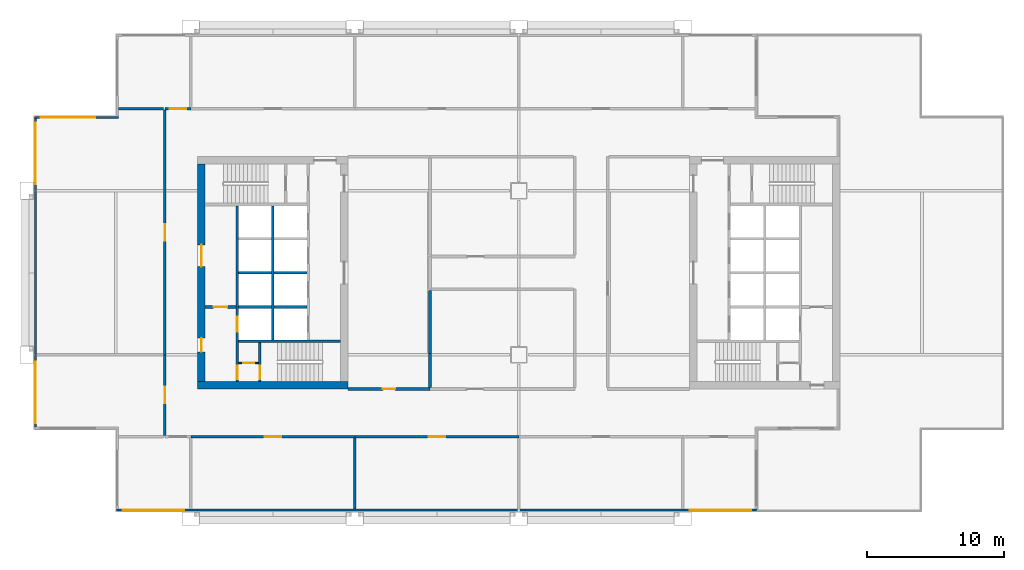
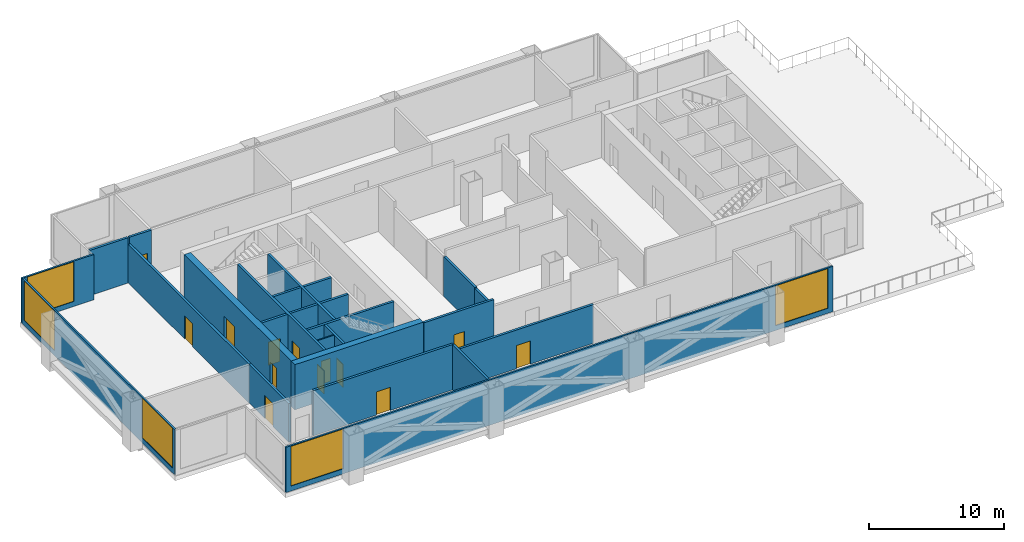
# One storey, part 2 of 6: 25 walls, 13 doors, 5 windows, 18 openings.
"""IFC4 building model written with IfcOpenShell, lengths in metres."""

from ifc_helpers import new_model, si_unit, direction, frame, frame_2d, origin, place, context, subcontext, project, spatial, rectangle, extrude, material, layer, layer_set, type_object, element, fill, save


model = new_model("IFC4")

# Units and contexts
model_context = context("Model", 3, precision=1e-05, world=origin(), true_north=direction((0.0, 1.0)))
body_context = subcontext(model_context, "Body", "Model", "MODEL_VIEW")
ifc_project = project(units=[si_unit("LENGTHUNIT", "METRE"), si_unit("AREAUNIT", "SQUARE_METRE"), si_unit("VOLUMEUNIT", "CUBIC_METRE"), si_unit("PLANEANGLEUNIT", "RADIAN"), si_unit("MASSUNIT", "GRAM", prefix="KILO")], contexts=[model_context])

# Site, building, storey
site_placement = place(None, origin())
site = spatial("IfcSite", under=ifc_project, at=site_placement, CompositionType="ELEMENT")
building_placement = place(site_placement, origin())
building = spatial("IfcBuilding", under=site, at=building_placement, Name="Kitamizu Gate Tower and Museum", CompositionType="ELEMENT")
storey_placement = place(building_placement, frame((0.0, 0.0, 153.75)))
storey = spatial("IfcBuildingStorey", under=building, at=storey_placement, Name="L40", CompositionType="ELEMENT", Elevation=153.75)

# Wall
ifc_material_1 = material(Name="Concrete Fc42", Category="concrete")
ifc_layer_1 = layer(ifc_material_1, 0.550048828125)
ifc_layer_set_1 = layer_set([ifc_layer_1], Name="Concrete Fc42")
wall_type_1 = type_object("IfcWallType", Name="Core wall 550", PredefinedType="SHEAR", material=ifc_layer_set_1)
wall_1_placement = place(storey_placement, frame((12.5, 21.77490234375, 0.0), z_axis=(0.0, 0.0, 1.0), x_axis=(1.0, 0.0, 0.0)))
element("IfcWall", 1, at=wall_1_placement, inside=storey, type_object=wall_type_1, Name="Core wall WS", PredefinedType="SHEAR", context=body_context, shape_type="SweptSolid", body=[
    extrude(rectangle(XDim=11.0, YDim=0.550048828125, at=frame_2d((5.5, 0.0))), origin(), (0.0, 0.0, 1.0), 4.10009765625),
])

# Wall, openings, doors
wall_2_placement = place(storey_placement, frame((12.77490234375, 22.050048828125, 0.0), z_axis=(0.0, 0.0, 1.0), x_axis=(0.0, 1.0, 0.0)))
wall_2 = element("IfcWall", 2, at=wall_2_placement, inside=storey, type_object=wall_type_1, Name="Core wall WOUT", PredefinedType="SHEAR", context=body_context, shape_type="SweptSolid", body=[
    extrude(rectangle(XDim=15.89990234375, YDim=0.550048828125, at=frame_2d((7.949951171875, 0.0))), origin(), (0.0, 0.0, 1.0), 4.10009765625),
])
opening_1_placement = place(wall_2_placement, frame((8.39990234375, 0.0, 0.0)))
opening_1 = element("IfcOpeningElement", 3, at=opening_1_placement, cuts=wall_2, Name="Opening L40-023", PredefinedType="OPENING", context=body_context, shape_type="SweptSolid", body=[
    extrude(rectangle(XDim=1.60009765625, YDim=2.10009765625, at=frame_2d((0.800048828125, 1.050048828125))), frame((0.0, 0.28515625, 0.0), z_axis=(0.0, -1.0, 0.0), x_axis=(1.0, 0.0, 0.0)), (0.0, 0.0, 1.0), 0.570068359375),
])
opening_2_placement = place(wall_2_placement, frame((2.175048828125, 0.0, 0.0)))
opening_2 = element("IfcOpeningElement", 4, at=opening_2_placement, cuts=wall_2, Name="Opening L40-024", PredefinedType="OPENING", context=body_context, shape_type="SweptSolid", body=[
    extrude(rectangle(XDim=1.0, YDim=2.10009765625, at=frame_2d((0.5, 1.050048828125))), frame((0.0, 0.28515625, 0.0), z_axis=(0.0, -1.0, 0.0), x_axis=(1.0, 0.0, 0.0)), (0.0, 0.0, 1.0), 0.570068359375),
])
ifc_material_2 = material(Name="Timber door set", Category="wood")
door_type_1 = type_object("IfcDoorType", Name="Entrance door 1600", OperationType="DOUBLE_DOOR_SINGLE_SWING", PredefinedType="DOOR", material=ifc_material_2)
door_1_placement = place(opening_1_placement, origin())
door_1 = element("IfcDoor", 5, at=door_1_placement, inside=storey, type_object=door_type_1, Name="Lobby door L40-023", OperationType="DOUBLE_DOOR_SINGLE_SWING", OverallHeight=2.10009765625, OverallWidth=1.60009765625, PredefinedType="DOOR", context=body_context, shape_type="SweptSolid", body=[
    extrude(rectangle(XDim=1.60009765625, YDim=2.10009765625, at=frame_2d((0.800048828125, 1.050048828125))), frame((0.0, 0.02490234375, 0.0), z_axis=(0.0, -1.0, 0.0), x_axis=(1.0, 0.0, 0.0)), (0.0, 0.0, 1.0), 0.050048828125),
])
fill(opening_1, door_1)
ifc_material_3 = material(Name="Hollow metal door set")
door_type_2 = type_object("IfcDoorType", Name="Fire door 1000", OperationType="NOTDEFINED", PredefinedType="DOOR", material=ifc_material_3)
door_2_placement = place(opening_2_placement, frame((1.0, 0.0, 0.0), x_axis=(-1.0, 0.0, 0.0)))
door_2 = element("IfcDoor", 6, at=door_2_placement, inside=storey, type_object=door_type_2, Name="Fire-fighting lobby door L40-024", OperationType="SINGLE_SWING_RIGHT", OverallHeight=2.10009765625, OverallWidth=1.0, PredefinedType="DOOR", context=body_context, shape_type="SweptSolid", body=[
    extrude(rectangle(XDim=1.0, YDim=2.10009765625, at=frame_2d((0.5, 1.050048828125))), frame((0.0, 0.02490234375, 0.0), z_axis=(0.0, -1.0, 0.0), x_axis=(1.0, 0.0, 0.0)), (0.0, 0.0, 1.0), 0.050048828125),
])
fill(opening_2, door_2)

# Wall, opening, door
ifc_material_4 = material(Name="Gypsum board on galvanised stud")
ifc_layer_2 = layer(ifc_material_4, 0.10009765625)
ifc_layer_set_2 = layer_set([ifc_layer_2], Name="Gypsum board on galvanised stud")
wall_type_2 = type_object("IfcWallType", Name="Partition 100", PredefinedType="PARTITIONING", material=ifc_layer_set_2)
wall_3_placement = place(storey_placement, frame((15.5, 23.39990234375, 0.0), z_axis=(0.0, 0.0, 1.0), x_axis=(1.0, 0.0, 0.0)))
wall_3 = element("IfcWall", 7, at=wall_3_placement, inside=storey, type_object=wall_type_2, Name="Partition WPZS", PredefinedType="PARTITIONING", context=body_context, shape_type="SweptSolid", body=[
    extrude(rectangle(XDim=1.449951171875, YDim=0.10009765625, at=frame_2d((0.72509765625, 0.0))), origin(), (0.0, 0.0, 1.0), 4.10009765625),
])
opening_3_placement = place(wall_3_placement, frame((0.324951171875, 0.0, 0.0)))
opening_3 = element("IfcOpeningElement", 8, at=opening_3_placement, cuts=wall_3, Name="Opening L40-022", PredefinedType="OPENING", context=body_context, shape_type="SweptSolid", body=[
    extrude(rectangle(XDim=0.800048828125, YDim=2.10009765625, at=frame_2d((0.39990234375, 1.050048828125))), frame((0.0, 0.06005859375, 0.0), z_axis=(0.0, -1.0, 0.0), x_axis=(1.0, 0.0, 0.0)), (0.0, 0.0, 1.0), 0.1201171875),
])
ifc_material_5 = material(Name="Timber door set", Category="wood")
door_type_3 = type_object("IfcDoorType", Name="Cupboard door 800", OperationType="NOTDEFINED", PredefinedType="DOOR", material=ifc_material_5)
door_3_placement = place(opening_3_placement, frame((0.800048828125, 0.0, 0.0), x_axis=(-1.0, 0.0, 0.0)))
door_3 = element("IfcDoor", 9, at=door_3_placement, inside=storey, type_object=door_type_3, Name="Cupboard door L40-022", OperationType="SINGLE_SWING_LEFT", OverallHeight=2.10009765625, OverallWidth=0.800048828125, PredefinedType="DOOR", context=body_context, shape_type="SweptSolid", body=[
    extrude(rectangle(XDim=0.800048828125, YDim=2.10009765625, at=frame_2d((0.39990234375, 1.050048828125))), frame((0.0, 0.02490234375, 0.0), z_axis=(0.0, -1.0, 0.0), x_axis=(1.0, 0.0, 0.0)), (0.0, 0.0, 1.0), 0.050048828125),
])
fill(opening_3, door_3)

ifc_material_6 = material(Name="Gypsum board on galvanised stud")
ifc_layer_3 = layer(ifc_material_6, 0.199951171875)
ifc_layer_set_3 = layer_set([ifc_layer_3], Name="Gypsum board on galvanised stud")
wall_type_3 = type_object("IfcWallType", Name="Partition 200", PredefinedType="PARTITIONING", material=ifc_layer_set_3)
wall_4_placement = place(storey_placement, frame((23.5, 21.5, 0.0), z_axis=(0.0, 0.0, 1.0), x_axis=(1.0, 0.0, 0.0)))
wall_4 = element("IfcWall", 10, at=wall_4_placement, inside=storey, type_object=wall_type_3, Name="Partition L40-001", PredefinedType="PARTITIONING", context=body_context, shape_type="SweptSolid", body=[
    extrude(rectangle(XDim=6.0, YDim=0.199951171875, at=frame_2d((3.0, 0.0))), origin(), (0.0, 0.0, 1.0), 4.10009765625),
])
opening_4_placement = place(wall_4_placement, frame((2.550048828125, 0.0, 0.0)))
opening_4 = element("IfcOpeningElement", 11, at=opening_4_placement, cuts=wall_4, Name="Opening L40-001", PredefinedType="OPENING", context=body_context, shape_type="SweptSolid", body=[
    extrude(rectangle(XDim=0.89990234375, YDim=2.10009765625, at=frame_2d((0.449951171875, 1.050048828125))), frame((0.0, 0.10986328125, 0.0), z_axis=(0.0, -1.0, 0.0), x_axis=(1.0, 0.0, 0.0)), (0.0, 0.0, 1.0), 0.219970703125),
])
ifc_material_7 = material(Name="Timber door set", Category="wood")
door_type_4 = type_object("IfcDoorType", Name="Store door 900", OperationType="NOTDEFINED", PredefinedType="DOOR", material=ifc_material_7)
door_4_placement = place(opening_4_placement, origin())
door_4 = element("IfcDoor", 12, at=door_4_placement, inside=storey, type_object=door_type_4, Name="Store door L40-001", OperationType="SINGLE_SWING_RIGHT", OverallHeight=2.10009765625, OverallWidth=0.89990234375, PredefinedType="DOOR", context=body_context, shape_type="SweptSolid", body=[
    extrude(rectangle(XDim=0.89990234375, YDim=2.10009765625, at=frame_2d((0.449951171875, 1.050048828125))), frame((0.0, 0.02490234375, 0.0), z_axis=(0.0, -1.0, 0.0), x_axis=(1.0, 0.0, 0.0)), (0.0, 0.0, 1.0), 0.050048828125),
])
fill(opening_4, door_4)

wall_5_placement = place(storey_placement, frame((12.0, 18.0, 0.0), z_axis=(0.0, 0.0, 1.0), x_axis=(1.0, 0.0, 0.0)))
wall_5 = element("IfcWall", 13, at=wall_5_placement, inside=storey, type_object=wall_type_3, Name="Partition L40-009", PredefinedType="PARTITIONING", context=body_context, shape_type="SweptSolid", body=[
    extrude(rectangle(XDim=12.0, YDim=0.199951171875, at=frame_2d((6.0, 0.0))), origin(), (0.0, 0.0, 1.0), 4.10009765625),
])
opening_5_placement = place(wall_5_placement, frame((5.39990234375, 0.0, 0.0)))
opening_5 = element("IfcOpeningElement", 14, at=opening_5_placement, cuts=wall_5, Name="Opening L40-004", PredefinedType="OPENING", context=body_context, shape_type="SweptSolid", body=[
    extrude(rectangle(XDim=1.199951171875, YDim=2.10009765625, at=frame_2d((0.60009765625, 1.050048828125))), frame((0.0, 0.10986328125, 0.0), z_axis=(0.0, -1.0, 0.0), x_axis=(1.0, 0.0, 0.0)), (0.0, 0.0, 1.0), 0.219970703125),
])
ifc_material_8 = material(Name="Timber door set", Category="wood")
door_type_5 = type_object("IfcDoorType", Name="Plant room door 1200", OperationType="DOUBLE_DOOR_SINGLE_SWING", PredefinedType="DOOR", material=ifc_material_8)
door_5_placement = place(opening_5_placement, origin())
door_5 = element("IfcDoor", 15, at=door_5_placement, inside=storey, type_object=door_type_5, Name="Plant room door L40-004", OperationType="DOUBLE_DOOR_SINGLE_SWING", OverallHeight=2.10009765625, OverallWidth=1.199951171875, PredefinedType="DOOR", context=body_context, shape_type="SweptSolid", body=[
    extrude(rectangle(XDim=1.199951171875, YDim=2.10009765625, at=frame_2d((0.60009765625, 1.050048828125))), frame((0.0, 0.02490234375, 0.0), z_axis=(0.0, -1.0, 0.0), x_axis=(1.0, 0.0, 0.0)), (0.0, 0.0, 1.0), 0.050048828125),
])
fill(opening_5, door_5)

wall_6_placement = place(storey_placement, frame((24.0, 18.0, 0.0), z_axis=(0.0, 0.0, 1.0), x_axis=(1.0, 0.0, 0.0)))
wall_6 = element("IfcWall", 16, at=wall_6_placement, inside=storey, type_object=wall_type_3, Name="Partition L40-010", PredefinedType="PARTITIONING", context=body_context, shape_type="SweptSolid", body=[
    extrude(rectangle(XDim=12.0, YDim=0.199951171875, at=frame_2d((6.0, 0.0))), origin(), (0.0, 0.0, 1.0), 3.5),
])
opening_6_placement = place(wall_6_placement, frame((5.39990234375, 0.0, 0.0)))
opening_6 = element("IfcOpeningElement", 17, at=opening_6_placement, cuts=wall_6, Name="Opening L40-005", PredefinedType="OPENING", context=body_context, shape_type="SweptSolid", body=[
    extrude(rectangle(XDim=1.199951171875, YDim=2.10009765625, at=frame_2d((0.60009765625, 1.050048828125))), frame((0.0, 0.10986328125, 0.0), z_axis=(0.0, -1.0, 0.0), x_axis=(1.0, 0.0, 0.0)), (0.0, 0.0, 1.0), 0.219970703125),
])
door_6_placement = place(opening_6_placement, origin())
door_6 = element("IfcDoor", 18, at=door_6_placement, inside=storey, type_object=door_type_5, Name="Plant room door L40-005", OperationType="DOUBLE_DOOR_SINGLE_SWING", OverallHeight=2.10009765625, OverallWidth=1.199951171875, PredefinedType="DOOR", context=body_context, shape_type="SweptSolid", body=[
    extrude(rectangle(XDim=1.199951171875, YDim=2.10009765625, at=frame_2d((0.60009765625, 1.050048828125))), frame((0.0, 0.02490234375, 0.0), z_axis=(0.0, -1.0, 0.0), x_axis=(1.0, 0.0, 0.0)), (0.0, 0.0, 1.0), 0.050048828125),
])
fill(opening_6, door_6)

wall_7_placement = place(storey_placement, frame((12.0, 42.0, 0.0), z_axis=(0.0, 0.0, 1.0), x_axis=(-1.0, 0.0, 0.0)))
wall_7 = element("IfcWall", 19, at=wall_7_placement, inside=storey, type_object=wall_type_3, Name="Partition L40-013", PredefinedType="PARTITIONING", context=body_context, shape_type="SweptSolid", body=[
    extrude(rectangle(XDim=1.89990234375, YDim=0.199951171875, at=frame_2d((0.949951171875, 0.0))), origin(), (0.0, 0.0, 1.0), 4.10009765625),
])
opening_7_placement = place(wall_7_placement, frame((0.35009765625, 0.0, 0.0)))
opening_7 = element("IfcOpeningElement", 20, at=opening_7_placement, cuts=wall_7, Name="Opening L40-008", PredefinedType="OPENING", context=body_context, shape_type="SweptSolid", body=[
    extrude(rectangle(XDim=1.199951171875, YDim=2.10009765625, at=frame_2d((0.60009765625, 1.050048828125))), frame((0.0, 0.10986328125, 0.0), z_axis=(0.0, -1.0, 0.0), x_axis=(1.0, 0.0, 0.0)), (0.0, 0.0, 1.0), 0.219970703125),
])
door_7_placement = place(opening_7_placement, origin())
door_7 = element("IfcDoor", 21, at=door_7_placement, inside=storey, type_object=door_type_5, Name="Plant room door L40-008", OperationType="DOUBLE_DOOR_SINGLE_SWING", OverallHeight=2.10009765625, OverallWidth=1.199951171875, PredefinedType="DOOR", context=body_context, shape_type="SweptSolid", body=[
    extrude(rectangle(XDim=1.199951171875, YDim=2.10009765625, at=frame_2d((0.60009765625, 1.050048828125))), frame((0.0, 0.02490234375, 0.0), z_axis=(0.0, -1.0, 0.0), x_axis=(1.0, 0.0, 0.0)), (0.0, 0.0, 1.0), 0.050048828125),
])
fill(opening_7, door_7)

wall_8_placement = place(storey_placement, frame((10.10009765625, 24.0, 0.0), z_axis=(0.0, 0.0, 1.0), x_axis=(0.0, -1.0, 0.0)))
wall_8 = element("IfcWall", 22, at=wall_8_placement, inside=storey, type_object=wall_type_3, Name="Partition L40-018", PredefinedType="PARTITIONING", context=body_context, shape_type="SweptSolid", body=[
    extrude(rectangle(XDim=5.89990234375, YDim=0.199951171875, at=frame_2d((2.949951171875, 0.0))), origin(), (0.0, 0.0, 1.0), 3.5),
])
opening_8_placement = place(wall_8_placement, frame((2.35009765625, 0.0, 0.0)))
opening_8 = element("IfcOpeningElement", 23, at=opening_8_placement, cuts=wall_8, Name="Opening L40-013", PredefinedType="OPENING", context=body_context, shape_type="SweptSolid", body=[
    extrude(rectangle(XDim=1.199951171875, YDim=2.10009765625, at=frame_2d((0.60009765625, 1.050048828125))), frame((0.0, 0.10986328125, 0.0), z_axis=(0.0, -1.0, 0.0), x_axis=(1.0, 0.0, 0.0)), (0.0, 0.0, 1.0), 0.219970703125),
])
door_8_placement = place(opening_8_placement, origin())
door_8 = element("IfcDoor", 24, at=door_8_placement, inside=storey, type_object=door_type_5, Name="Plant room door L40-013", OperationType="DOUBLE_DOOR_SINGLE_SWING", OverallHeight=2.10009765625, OverallWidth=1.199951171875, PredefinedType="DOOR", context=body_context, shape_type="SweptSolid", body=[
    extrude(rectangle(XDim=1.199951171875, YDim=2.10009765625, at=frame_2d((0.60009765625, 1.050048828125))), frame((0.0, 0.02490234375, 0.0), z_axis=(0.0, -1.0, 0.0), x_axis=(1.0, 0.0, 0.0)), (0.0, 0.0, 1.0), 0.050048828125),
])
fill(opening_8, door_8)

wall_9_placement = place(storey_placement, frame((10.10009765625, 41.89990234375, 0.0), z_axis=(0.0, 0.0, 1.0), x_axis=(0.0, -1.0, 0.0)))
wall_9 = element("IfcWall", 25, at=wall_9_placement, inside=storey, type_object=wall_type_3, Name="Partition L40-019", PredefinedType="PARTITIONING", context=body_context, shape_type="SweptSolid", body=[
    extrude(rectangle(XDim=17.89990234375, YDim=0.199951171875, at=frame_2d((8.949951171875, 0.0))), origin(), (0.0, 0.0, 1.0), 3.5),
])
opening_9_placement = place(wall_9_placement, frame((8.35009765625, 0.0, 0.0)))
opening_9 = element("IfcOpeningElement", 26, at=opening_9_placement, cuts=wall_9, Name="Opening L40-014", PredefinedType="OPENING", context=body_context, shape_type="SweptSolid", body=[
    extrude(rectangle(XDim=1.199951171875, YDim=2.10009765625, at=frame_2d((0.60009765625, 1.050048828125))), frame((0.0, 0.10986328125, 0.0), z_axis=(0.0, -1.0, 0.0), x_axis=(1.0, 0.0, 0.0)), (0.0, 0.0, 1.0), 0.219970703125),
])
door_9_placement = place(opening_9_placement, origin())
door_9 = element("IfcDoor", 27, at=door_9_placement, inside=storey, type_object=door_type_5, Name="Plant room door L40-014", OperationType="DOUBLE_DOOR_SINGLE_SWING", OverallHeight=2.10009765625, OverallWidth=1.199951171875, PredefinedType="DOOR", context=body_context, shape_type="SweptSolid", body=[
    extrude(rectangle(XDim=1.199951171875, YDim=2.10009765625, at=frame_2d((0.60009765625, 1.050048828125))), frame((0.0, 0.02490234375, 0.0), z_axis=(0.0, -1.0, 0.0), x_axis=(1.0, 0.0, 0.0)), (0.0, 0.0, 1.0), 0.050048828125),
])
fill(opening_9, door_9)

# Walls
wall_10_placement = place(storey_placement, frame((29.5, 21.60009765625, 0.0), z_axis=(0.0, 0.0, 1.0), x_axis=(0.0, 1.0, 0.0)))
element("IfcWall", 28, at=wall_10_placement, inside=storey, type_object=wall_type_3, Name="Partition L40-032", PredefinedType="PARTITIONING", context=body_context, shape_type="SweptSolid", body=[
    extrude(rectangle(XDim=2.5, YDim=0.199951171875, at=frame_2d((1.25, 0.0))), origin(), (0.0, 0.0, 1.0), 3.5),
])
wall_11_placement = place(storey_placement, frame((29.5, 24.10009765625, 0.0), z_axis=(0.0, 0.0, 1.0), x_axis=(0.0, 1.0, 0.0)))
element("IfcWall", 29, at=wall_11_placement, inside=storey, type_object=wall_type_3, Name="Partition L40-033", PredefinedType="PARTITIONING", context=body_context, shape_type="SweptSolid", body=[
    extrude(rectangle(XDim=4.599853515625, YDim=0.199951171875, at=frame_2d((2.2998046875, 0.0))), origin(), (0.0, 0.0, 1.0), 3.60009765625),
])
wall_12_placement = place(storey_placement, frame((24.0, 12.719970703125, 0.0), z_axis=(0.0, 0.0, 1.0), x_axis=(0.0, 1.0, 0.0)))
element("IfcWall", 30, at=wall_12_placement, inside=storey, type_object=wall_type_3, Name="Partition L40-038", PredefinedType="PARTITIONING", context=body_context, shape_type="SweptSolid", body=[
    extrude(rectangle(XDim=5.179931640625, YDim=0.199951171875, at=frame_2d((2.58984375, 0.0))), origin(), (0.0, 0.0, 1.0), 4.10009765625),
])
wall_13_placement = place(storey_placement, frame((6.719970703125, 42.0, 0.0), z_axis=(0.0, 0.0, 1.0), x_axis=(1.0, 0.0, 0.0)))
element("IfcWall", 31, at=wall_13_placement, inside=storey, type_object=wall_type_3, Name="Partition L40-042", PredefinedType="PARTITIONING", context=body_context, shape_type="SweptSolid", body=[
    extrude(rectangle(XDim=3.280029296875, YDim=0.199951171875, at=frame_2d((1.64013671875, 0.0))), origin(), (0.0, 0.0, 1.0), 4.10009765625),
])

# Wall, openings, doors
ifc_material_9 = material(Name="Concrete Fc42", Category="concrete")
ifc_layer_4 = layer(ifc_material_9, 0.199951171875)
ifc_layer_set_4 = layer_set([ifc_layer_4], Name="Concrete Fc42")
wall_type_4 = type_object("IfcWallType", Name="Shaft wall 200", PredefinedType="SOLIDWALL", material=ifc_layer_set_4)
wall_14_placement = place(storey_placement, frame((15.39990234375, 22.050048828125, 0.0), z_axis=(0.0, 0.0, 1.0), x_axis=(0.0, 1.0, 0.0)))
wall_14 = element("IfcWall", 32, at=wall_14_placement, inside=storey, type_object=wall_type_4, Name="Shaft wall WWEST", PredefinedType="SOLIDWALL", context=body_context, shape_type="SweptSolid", body=[
    extrude(rectangle(XDim=12.849853515625, YDim=0.199951171875, at=frame_2d((6.4248046875, 0.0))), origin(), (0.0, 0.0, 1.0), 4.10009765625),
])
opening_10_placement = place(wall_14_placement, frame((3.64990234375, 0.0, 0.0)))
opening_10 = element("IfcOpeningElement", 33, at=opening_10_placement, cuts=wall_14, Name="Opening LD", PredefinedType="OPENING", context=body_context, shape_type="SweptSolid", body=[
    extrude(rectangle(XDim=1.10009765625, YDim=2.10009765625, at=frame_2d((0.550048828125, 1.050048828125))), frame((0.0, 0.10986328125, 0.0), z_axis=(0.0, -1.0, 0.0), x_axis=(1.0, 0.0, 0.0)), (0.0, 0.0, 1.0), 0.219970703125),
])
opening_11_placement = place(wall_14_placement, frame((0.14990234375, 0.0, 0.0)))
opening_11 = element("IfcOpeningElement", 34, at=opening_11_placement, cuts=wall_14, Name="Opening L40-018", PredefinedType="OPENING", context=body_context, shape_type="SweptSolid", body=[
    extrude(rectangle(XDim=1.0, YDim=2.10009765625, at=frame_2d((0.5, 1.050048828125))), frame((0.0, 0.10986328125, 0.0), z_axis=(0.0, -1.0, 0.0), x_axis=(1.0, 0.0, 0.0)), (0.0, 0.0, 1.0), 0.219970703125),
])
door_10_placement = place(opening_11_placement, frame((1.0, 0.0, 0.0), x_axis=(-1.0, 0.0, 0.0)))
door_10 = element("IfcDoor", 35, at=door_10_placement, inside=storey, type_object=door_type_2, Name="Stair lobby door L40-018", OperationType="SINGLE_SWING_LEFT", OverallHeight=2.10009765625, OverallWidth=1.0, PredefinedType="DOOR", context=body_context, shape_type="SweptSolid", body=[
    extrude(rectangle(XDim=1.0, YDim=2.10009765625, at=frame_2d((0.5, 1.050048828125))), frame((0.0, 0.02490234375, 0.0), z_axis=(0.0, -1.0, 0.0), x_axis=(1.0, 0.0, 0.0)), (0.0, 0.0, 1.0), 0.050048828125),
])
fill(opening_11, door_10)
ifc_material_10 = material(Name="Hollow metal door set")
door_type_6 = type_object("IfcDoorType", Name="Landing door 1100", OperationType="SLIDING_TO_LEFT", PredefinedType="DOOR", material=ifc_material_10)
door_11_placement = place(opening_10_placement, origin())
door_11 = element("IfcDoor", 36, at=door_11_placement, inside=storey, type_object=door_type_6, Name="Landing door WFF1", OperationType="SLIDING_TO_LEFT", OverallHeight=2.10009765625, OverallWidth=1.10009765625, PredefinedType="DOOR", context=body_context, shape_type="SweptSolid", body=[
    extrude(rectangle(XDim=1.10009765625, YDim=2.10009765625, at=frame_2d((0.550048828125, 1.050048828125))), frame((0.0, 0.02490234375, 0.0), z_axis=(0.0, -1.0, 0.0), x_axis=(1.0, 0.0, 0.0)), (0.0, 0.0, 1.0), 0.050048828125),
])
fill(opening_10, door_11)

# Walls
wall_15_placement = place(storey_placement, frame((18.0, 25.10009765625, 0.0), z_axis=(0.0, 0.0, 1.0), x_axis=(0.0, 1.0, 0.0)))
element("IfcWall", 37, at=wall_15_placement, inside=storey, type_object=wall_type_4, Name="Shaft wall WMID", PredefinedType="SOLIDWALL", context=body_context, shape_type="SweptSolid", body=[
    extrude(rectangle(XDim=9.7998046875, YDim=0.199951171875, at=frame_2d((4.89990234375, 0.0))), origin(), (0.0, 0.0, 1.0), 4.10009765625),
])
wall_16_placement = place(storey_placement, frame((15.5, 25.0, 0.0), z_axis=(0.0, 0.0, 1.0), x_axis=(1.0, 0.0, 0.0)))
element("IfcWall", 38, at=wall_16_placement, inside=storey, type_object=wall_type_4, Name="Shaft wall WSB", PredefinedType="SOLIDWALL", context=body_context, shape_type="SweptSolid", body=[
    extrude(rectangle(XDim=7.449951171875, YDim=0.199951171875, at=frame_2d((3.72509765625, 0.0))), origin(), (0.0, 0.0, 1.0), 4.10009765625),
])

# Wall, opening, door
wall_17_placement = place(storey_placement, frame((13.050048828125, 27.5, 0.0), z_axis=(0.0, 0.0, 1.0), x_axis=(1.0, 0.0, 0.0)))
wall_17 = element("IfcWall", 39, at=wall_17_placement, inside=storey, type_object=wall_type_4, Name="Shaft wall WFFN", PredefinedType="SOLIDWALL", context=body_context, shape_type="SweptSolid", body=[
    extrude(rectangle(XDim=2.25, YDim=0.199951171875, at=frame_2d((1.125, 0.0))), origin(), (0.0, 0.0, 1.0), 4.10009765625),
])
opening_12_placement = place(wall_17_placement, frame((0.625, 0.0, 0.0)))
opening_12 = element("IfcOpeningElement", 40, at=opening_12_placement, cuts=wall_17, Name="Opening L40-021", PredefinedType="OPENING", context=body_context, shape_type="SweptSolid", body=[
    extrude(rectangle(XDim=1.0, YDim=2.10009765625, at=frame_2d((0.5, 1.050048828125))), frame((0.0, 0.10986328125, 0.0), z_axis=(0.0, -1.0, 0.0), x_axis=(1.0, 0.0, 0.0)), (0.0, 0.0, 1.0), 0.219970703125),
])
door_12_placement = place(opening_12_placement, frame((1.0, 0.0, 0.0), x_axis=(-1.0, 0.0, 0.0)))
door_12 = element("IfcDoor", 41, at=door_12_placement, inside=storey, type_object=door_type_2, Name="Fire-fighting lobby door L40-021", OperationType="SINGLE_SWING_RIGHT", OverallHeight=2.10009765625, OverallWidth=1.0, PredefinedType="DOOR", context=body_context, shape_type="SweptSolid", body=[
    extrude(rectangle(XDim=1.0, YDim=2.10009765625, at=frame_2d((0.5, 1.050048828125))), frame((0.0, 0.02490234375, 0.0), z_axis=(0.0, -1.0, 0.0), x_axis=(1.0, 0.0, 0.0)), (0.0, 0.0, 1.0), 0.050048828125),
])
fill(opening_12, door_12)

wall_18_placement = place(storey_placement, frame((17.050048828125, 22.050048828125, 0.0), z_axis=(0.0, 0.0, 1.0), x_axis=(0.0, 1.0, 0.0)))
wall_18 = element("IfcWall", 42, at=wall_18_placement, inside=storey, type_object=wall_type_4, Name="Shaft wall WSZ", PredefinedType="SOLIDWALL", context=body_context, shape_type="SweptSolid", body=[
    extrude(rectangle(XDim=2.849853515625, YDim=0.199951171875, at=frame_2d((1.4248046875, 0.0))), origin(), (0.0, 0.0, 1.0), 4.10009765625),
])
opening_13_placement = place(wall_18_placement, frame((0.14990234375, 0.0, 0.0)))
opening_13 = element("IfcOpeningElement", 43, at=opening_13_placement, cuts=wall_18, Name="Opening L40-017", PredefinedType="OPENING", context=body_context, shape_type="SweptSolid", body=[
    extrude(rectangle(XDim=1.0, YDim=2.10009765625, at=frame_2d((0.5, 1.050048828125))), frame((0.0, 0.10986328125, 0.0), z_axis=(0.0, -1.0, 0.0), x_axis=(1.0, 0.0, 0.0)), (0.0, 0.0, 1.0), 0.219970703125),
])
door_13_placement = place(opening_13_placement, frame((1.0, 0.0, 0.0), x_axis=(-1.0, 0.0, 0.0)))
door_13 = element("IfcDoor", 44, at=door_13_placement, inside=storey, type_object=door_type_2, Name="Stair door L40-017", OperationType="SINGLE_SWING_LEFT", OverallHeight=2.10009765625, OverallWidth=1.0, PredefinedType="DOOR", context=body_context, shape_type="SweptSolid", body=[
    extrude(rectangle(XDim=1.0, YDim=2.10009765625, at=frame_2d((0.5, 1.050048828125))), frame((0.0, 0.02490234375, 0.0), z_axis=(0.0, -1.0, 0.0), x_axis=(1.0, 0.0, 0.0)), (0.0, 0.0, 1.0), 0.050048828125),
])
fill(opening_13, door_13)

# Walls
for number, where, z_axis, x_axis, name in (
    (45, (15.5, 27.5, 0.0), (0.0, 0.0, 1.0), (1.0, 0.0, 0.0), "Shaft wall WDVW0"),
    (46, (15.5, 30.0, 0.0), (0.0, 0.0, 1.0), (1.0, 0.0, 0.0), "Shaft wall WDVW1"),
    (47, (18.10009765625, 27.5, 0.0), (0.0, 0.0, 1.0), (1.0, 0.0, 0.0), "Shaft wall WDVE0"),
    (48, (18.10009765625, 30.0, 0.0), (0.0, 0.0, 1.0), (1.0, 0.0, 0.0), "Shaft wall WDVE1"),
):
    element("IfcWall", number, at=place(storey_placement, frame(where, z_axis=z_axis, x_axis=x_axis)), inside=storey, type_object=wall_type_4, Name=name, PredefinedType="SOLIDWALL", context=body_context, shape_type="SweptSolid", body=[
        extrude(rectangle(XDim=2.39990234375, YDim=0.199951171875, at=frame_2d((1.199951171875, 0.0))), origin(), (0.0, 0.0, 1.0), 4.10009765625),
    ])

# Wall, openings, windows
ifc_material_11 = material(Name="Bronze anodised aluminium frame with insulated spandrel and tinted glass", Category="aluminium")
ifc_layer_5 = layer(ifc_material_11, 0.14990234375)
ifc_layer_set_5 = layer_set([ifc_layer_5], Name="Bronze anodised aluminium frame with insulated spandrel and tinted glass")
wall_type_5 = type_object("IfcWallType", Name="WINDOW WALL 150 BRONZE FRAME EI 60", PredefinedType="ELEMENTEDWALL", material=ifc_layer_set_5)
wall_19_placement = place(storey_placement, frame((6.56005859375, 12.635009765625, 0.0), z_axis=(0.0, 0.0, 1.0), x_axis=(1.0, 0.0, 0.0)))
wall_19 = element("IfcWall", 49, at=wall_19_placement, inside=storey, type_object=wall_type_5, Name="Window wall south L40", PredefinedType="ELEMENTEDWALL", context=body_context, shape_type="SweptSolid", body=[
    extrude(rectangle(XDim=46.8798828125, YDim=0.14990234375, at=frame_2d((23.43994140625, 0.0))), origin(), (0.0, 0.0, 1.0), 4.10009765625),
])
opening_14_placement = place(wall_19_placement, frame((0.43994140625, 0.0, 0.449951171875)))
opening_14 = element("IfcOpeningElement", 50, at=opening_14_placement, cuts=wall_19, Name="Opening W17", PredefinedType="OPENING", context=body_context, shape_type="SweptSolid", body=[
    extrude(rectangle(XDim=4.5, YDim=3.60009765625, at=frame_2d((2.25, 1.800048828125))), frame((0.0, 0.0849609375, 0.0), z_axis=(0.0, -1.0, 0.0), x_axis=(1.0, 0.0, 0.0)), (0.0, 0.0, 1.0), 0.169921875),
])
opening_15_placement = place(wall_19_placement, frame((41.93994140625, 0.0, 0.449951171875)))
opening_15 = element("IfcOpeningElement", 51, at=opening_15_placement, cuts=wall_19, Name="Opening W17", PredefinedType="OPENING", context=body_context, shape_type="SweptSolid", body=[
    extrude(rectangle(XDim=4.5, YDim=3.60009765625, at=frame_2d((2.25, 1.800048828125))), frame((0.0, 0.0849609375, 0.0), z_axis=(0.0, -1.0, 0.0), x_axis=(1.0, 0.0, 0.0)), (0.0, 0.0, 1.0), 0.169921875),
])
ifc_material_12 = material(Name="Bronze anodised aluminium frame, tinted triple glazing", Category="aluminium")
window_type_1 = type_object("IfcWindowType", Name="WINDOW 4500 x 3600 SILL 450", PartitioningType="SINGLE_PANEL", PredefinedType="WINDOW", material=ifc_material_12)
window_1_placement = place(opening_14_placement, origin())
window_1 = element("IfcWindow", 52, at=window_1_placement, inside=storey, type_object=window_type_1, Name="Window W17 L40", OverallHeight=3.60009765625, OverallWidth=4.5, PartitioningType="SINGLE_PANEL", PredefinedType="WINDOW", context=body_context, shape_type="SweptSolid", body=[
    extrude(rectangle(XDim=4.5, YDim=3.60009765625, at=frame_2d((2.25, 1.800048828125))), frame((0.0, 0.030029296875, 0.0), z_axis=(0.0, -1.0, 0.0), x_axis=(1.0, 0.0, 0.0)), (0.0, 0.0, 1.0), 0.06005859375),
])
fill(opening_14, window_1)
window_2_placement = place(opening_15_placement, origin())
window_2 = element("IfcWindow", 53, at=window_2_placement, inside=storey, type_object=window_type_1, Name="Window W17 L40", OverallHeight=3.60009765625, OverallWidth=4.5, PartitioningType="SINGLE_PANEL", PredefinedType="WINDOW", context=body_context, shape_type="SweptSolid", body=[
    extrude(rectangle(XDim=4.5, YDim=3.60009765625, at=frame_2d((2.25, 1.800048828125))), frame((0.0, 0.030029296875, 0.0), z_axis=(0.0, -1.0, 0.0), x_axis=(1.0, 0.0, 0.0)), (0.0, 0.0, 1.0), 0.06005859375),
])
fill(opening_15, window_2)

# Wall, opening, window
wall_20_placement = place(storey_placement, frame((0.56005859375, 41.364990234375, 0.0), z_axis=(0.0, 0.0, 1.0), x_axis=(1.0, 0.0, 0.0)))
wall_20 = element("IfcWall", 54, at=wall_20_placement, inside=storey, type_object=wall_type_5, Name="Window wall north L40", PredefinedType="ELEMENTEDWALL", context=body_context, shape_type="SweptSolid", body=[
    extrude(rectangle(XDim=6.14990234375, YDim=0.14990234375, at=frame_2d((3.074951171875, 0.0))), origin(), (0.0, 0.0, 1.0), 4.10009765625),
])
opening_16_placement = place(wall_20_placement, frame((0.43994140625, 0.0, 0.449951171875)))
opening_16 = element("IfcOpeningElement", 55, at=opening_16_placement, cuts=wall_20, Name="Opening W18", PredefinedType="OPENING", context=body_context, shape_type="SweptSolid", body=[
    extrude(rectangle(XDim=4.0, YDim=3.60009765625, at=frame_2d((2.0, 1.800048828125))), frame((0.0, 0.0849609375, 0.0), z_axis=(0.0, -1.0, 0.0), x_axis=(1.0, 0.0, 0.0)), (0.0, 0.0, 1.0), 0.169921875),
])
ifc_material_13 = material(Name="Bronze anodised aluminium frame, tinted triple glazing", Category="aluminium")
window_type_2 = type_object("IfcWindowType", Name="WINDOW 4000 x 3600 SILL 450", PartitioningType="SINGLE_PANEL", PredefinedType="WINDOW", material=ifc_material_13)
window_3_placement = place(opening_16_placement, origin())
window_3 = element("IfcWindow", 56, at=window_3_placement, inside=storey, type_object=window_type_2, Name="Window W18 L40", OverallHeight=3.60009765625, OverallWidth=4.0, PartitioningType="SINGLE_PANEL", PredefinedType="WINDOW", context=body_context, shape_type="SweptSolid", body=[
    extrude(rectangle(XDim=4.0, YDim=3.60009765625, at=frame_2d((2.0, 1.800048828125))), frame((0.0, 0.030029296875, 0.0), z_axis=(0.0, -1.0, 0.0), x_axis=(1.0, 0.0, 0.0)), (0.0, 0.0, 1.0), 0.06005859375),
])
fill(opening_16, window_3)

# Wall, openings, windows
wall_21_placement = place(storey_placement, frame((0.635009765625, 18.7099609375, 0.0), z_axis=(0.0, 0.0, 1.0), x_axis=(0.0, 1.0, 0.0)))
wall_21 = element("IfcWall", 57, at=wall_21_placement, inside=storey, type_object=wall_type_5, Name="Window wall west L40", PredefinedType="ELEMENTEDWALL", context=body_context, shape_type="SweptSolid", body=[
    extrude(rectangle(XDim=22.580078125, YDim=0.14990234375, at=frame_2d((11.2900390625, 0.0))), origin(), (0.0, 0.0, 1.0), 4.10009765625),
])
opening_17_placement = place(wall_21_placement, frame((0.2900390625, 0.0, 0.449951171875)))
opening_17 = element("IfcOpeningElement", 58, at=opening_17_placement, cuts=wall_21, Name="Opening W17", PredefinedType="OPENING", context=body_context, shape_type="SweptSolid", body=[
    extrude(rectangle(XDim=4.5, YDim=3.60009765625, at=frame_2d((2.25, 1.800048828125))), frame((0.0, 0.0849609375, 0.0), z_axis=(0.0, -1.0, 0.0), x_axis=(1.0, 0.0, 0.0)), (0.0, 0.0, 1.0), 0.169921875),
])
opening_18_placement = place(wall_21_placement, frame((17.7900390625, 0.0, 0.449951171875)))
opening_18 = element("IfcOpeningElement", 59, at=opening_18_placement, cuts=wall_21, Name="Opening W17", PredefinedType="OPENING", context=body_context, shape_type="SweptSolid", body=[
    extrude(rectangle(XDim=4.5, YDim=3.60009765625, at=frame_2d((2.25, 1.800048828125))), frame((0.0, 0.0849609375, 0.0), z_axis=(0.0, -1.0, 0.0), x_axis=(1.0, 0.0, 0.0)), (0.0, 0.0, 1.0), 0.169921875),
])
window_4_placement = place(opening_17_placement, origin())
window_4 = element("IfcWindow", 60, at=window_4_placement, inside=storey, type_object=window_type_1, Name="Window W17 L40", OverallHeight=3.60009765625, OverallWidth=4.5, PartitioningType="SINGLE_PANEL", PredefinedType="WINDOW", context=body_context, shape_type="SweptSolid", body=[
    extrude(rectangle(XDim=4.5, YDim=3.60009765625, at=frame_2d((2.25, 1.800048828125))), frame((0.0, 0.030029296875, 0.0), z_axis=(0.0, -1.0, 0.0), x_axis=(1.0, 0.0, 0.0)), (0.0, 0.0, 1.0), 0.06005859375),
])
fill(opening_17, window_4)
window_5_placement = place(opening_18_placement, origin())
window_5 = element("IfcWindow", 61, at=window_5_placement, inside=storey, type_object=window_type_1, Name="Window W17 L40", OverallHeight=3.60009765625, OverallWidth=4.5, PartitioningType="SINGLE_PANEL", PredefinedType="WINDOW", context=body_context, shape_type="SweptSolid", body=[
    extrude(rectangle(XDim=4.5, YDim=3.60009765625, at=frame_2d((2.25, 1.800048828125))), frame((0.0, 0.030029296875, 0.0), z_axis=(0.0, -1.0, 0.0), x_axis=(1.0, 0.0, 0.0)), (0.0, 0.0, 1.0), 0.06005859375),
])
fill(opening_18, window_5)

save(model, "model.ifc")
